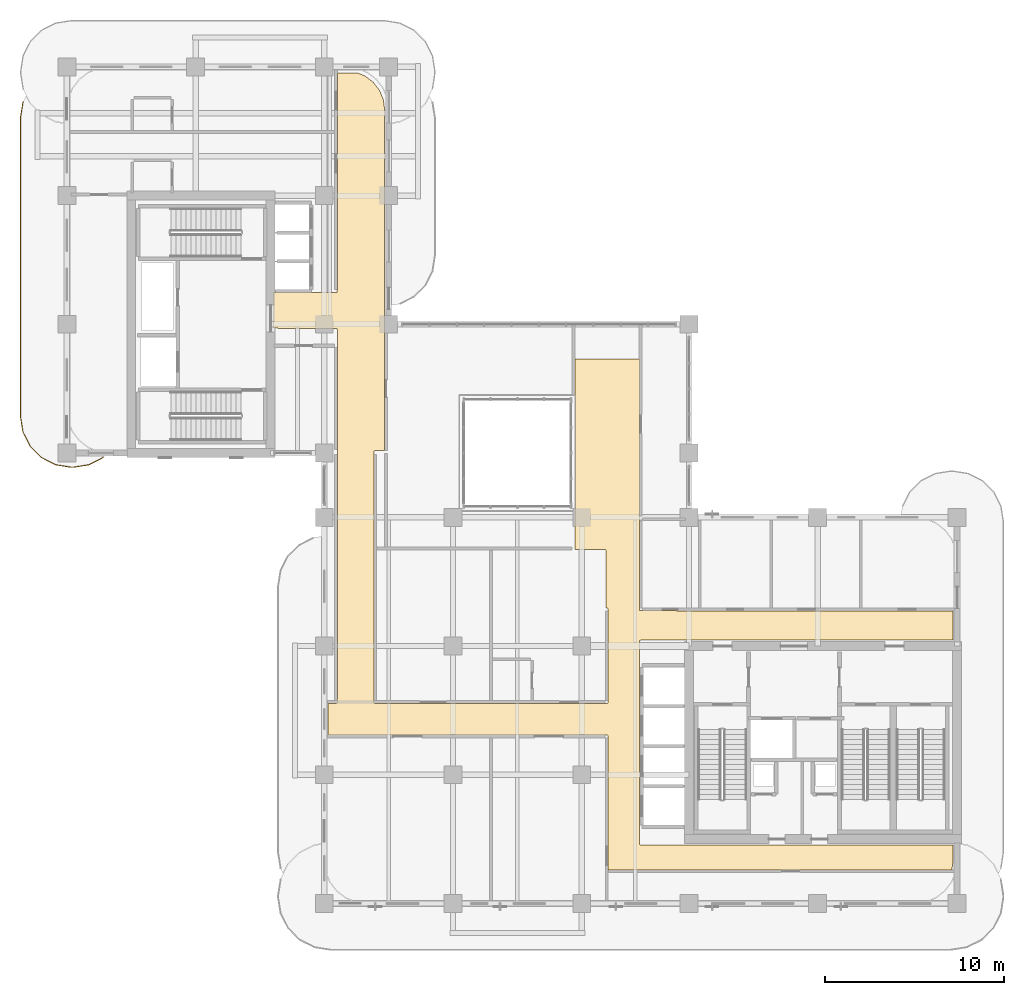
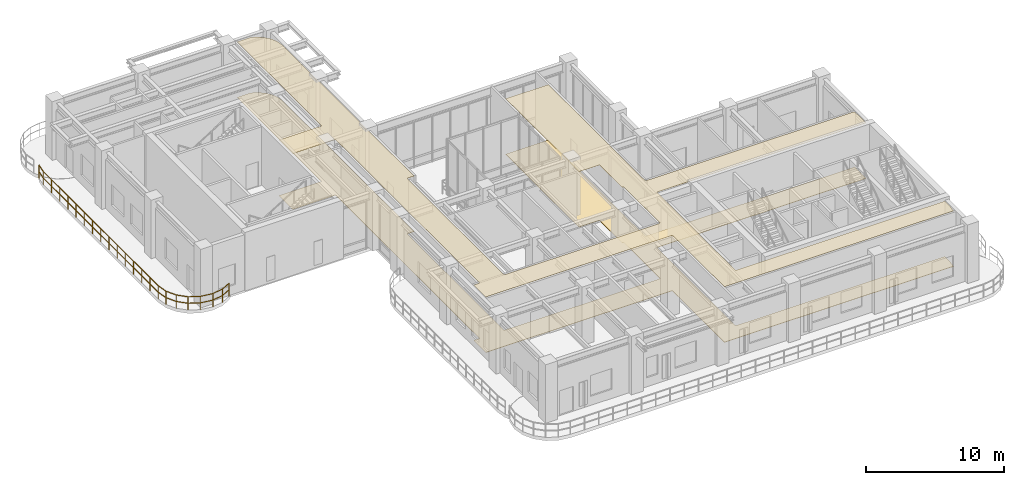
# One storey, part 20 of 21: 2 coverings, 1 railing.
"""IFC4 building model written with IfcOpenShell, lengths in metres."""

from ifc_helpers import new_model, si_unit, derived_unit, direction, frame, origin, origin_2d, place, context, subcontext, project, spatial, polyline, rectangle, outline, extrude, material, layer, layer_set, type_object, element, save


model = new_model("IFC4")

# Units and contexts
model_context = context("Model", 3, precision=1e-05, world=origin(), true_north=direction((0.0, 1.0)))
body_context = subcontext(model_context, "Body", "Model", "MODEL_VIEW")
ifc_project = project(units=[si_unit("LENGTHUNIT", "METRE"), si_unit("AREAUNIT", "SQUARE_METRE"), si_unit("VOLUMEUNIT", "CUBIC_METRE"), si_unit("PLANEANGLEUNIT", "RADIAN"), si_unit("MASSUNIT", "GRAM", prefix="KILO"), si_unit("THERMODYNAMICTEMPERATUREUNIT", "KELVIN"), si_unit("POWERUNIT", "WATT"), derived_unit("THERMALTRANSMITTANCEUNIT", [(si_unit("POWERUNIT", "WATT"), 1), (si_unit("AREAUNIT", "SQUARE_METRE"), -1), (si_unit("THERMODYNAMICTEMPERATUREUNIT", "KELVIN"), -1)])], contexts=[model_context])

# Site, building, storey
site_placement = place(None, origin())
site = spatial("IfcSite", under=ifc_project, at=site_placement, CompositionType="ELEMENT")
building_placement = place(site_placement, origin())
building = spatial("IfcBuilding", under=site, at=building_placement, Name="Zahravan Archway Hotel and Residences", CompositionType="ELEMENT")
storey_placement = place(building_placement, frame((0.0, 0.0, 145.10009765625)))
storey = spatial("IfcBuildingStorey", under=building, at=storey_placement, Name="L36", CompositionType="ELEMENT", Elevation=145.10009765625)

# Coverings
ifc_material_1 = material(Name="Perforated Acoustic Gypsum Ceiling")
ifc_layer_1 = layer(ifc_material_1, 0.02490234375, Name="Perforated Acoustic Gypsum Ceiling")
ifc_layer_set_1 = layer_set([ifc_layer_1], Name="Perforated Acoustic Gypsum Ceiling")
covering_type_1 = type_object("IfcCoveringType", Name="COV-CEIL-ACST", PredefinedType="CEILING", material=ifc_layer_set_1)
covering_1_placement = place(storey_placement, frame((0.0, 0.0, 4.9248046875)))
element("IfcCovering", 1, at=covering_1_placement, inside=storey, type_object=covering_type_1, Name="L36 Acoustic Corridor Ceiling", PredefinedType="CEILING", context=body_context, shape_type="SweptSolid", body=[
    extrude(outline(polyline([(32.09228515625, 14.7294921875), (32.04931640625, 14.7119140625), (32.0234375, 14.673095703125), (32.02001953125, 3.35009765625), (32.033447265625, 3.3056640625), (32.0693359375, 3.276123046875), (49.580078125, 3.27001953125), (49.580078125, 2.414306640625), (49.509521484375, 1.8798828125), (30.280029296875, 1.8798828125), (30.280029296875, 9.35009765625), (30.2666015625, 9.394287109375), (30.230712890625, 9.423828125), (14.6201171875, 9.429931640625), (14.6201171875, 11.18994140625), (15.050048828125, 11.18994140625), (15.094482421875, 11.20361328125), (15.123779296875, 11.239501953125), (15.1298828125, 32.10009765625), (15.116455078125, 32.144287109375), (15.08056640625, 32.173828125), (11.530029296875, 32.179931640625), (11.530029296875, 34.169921875), (15.050048828125, 34.169921875), (15.094482421875, 34.18359375), (15.123779296875, 34.219482421875), (15.1298828125, 46.469970703125), (16.24560546875, 46.469970703125), (16.689208984375, 46.286376953125), (17.14013671875, 45.940185546875), (17.486328125, 45.489013671875), (17.703857421875, 44.9638671875), (17.77001953125, 44.46142578125), (17.77001953125, 25.330078125), (17.25, 25.330078125), (17.20556640625, 25.31640625), (17.176025390625, 25.280517578125), (17.169921875, 11.27001953125), (17.18359375, 11.2255859375), (17.219482421875, 11.196044921875), (30.199951171875, 11.18994140625), (30.244384765625, 11.20361328125), (30.27392578125, 11.239501953125), (30.280029296875, 16.449951171875), (30.2666015625, 16.494384765625), (30.230712890625, 16.52392578125), (30.14990234375, 16.530029296875), (30.14990234375, 19.77001953125), (30.122802734375, 19.7998046875), (28.429931640625, 19.800048828125), (28.429931640625, 30.469970703125), (32.02001953125, 30.469970703125), (32.02001953125, 16.449951171875), (32.033447265625, 16.405517578125), (32.0693359375, 16.376220703125), (49.580078125, 16.3701171875), (49.580078125, 14.72998046875), (32.10009765625, 14.72998046875), (32.09228515625, 14.7294921875)])), origin(), (0.0, 0.0, 1.0), 0.025146484375),
])
ifc_material_2 = material(Name="Honed Margalla Limestone & Mortar Bed", Category="masonry")
ifc_layer_2 = layer(ifc_material_2, 0.030029296875, Name="Honed Margalla Limestone & Mortar Bed", Category="masonry")
ifc_layer_set_2 = layer_set([ifc_layer_2], Name="Honed Margalla Limestone & Mortar Bed")
covering_type_2 = type_object("IfcCoveringType", Name="COV-FLR-STONE", PredefinedType="FLOORING", material=ifc_layer_set_2)
covering_2_placement = place(storey_placement, origin())
element("IfcCovering", 2, at=covering_2_placement, inside=storey, type_object=covering_type_2, Name="L36 Circulation Floor Finish", PredefinedType="FLOORING", context=body_context, shape_type="SweptSolid", body=[
    extrude(outline(polyline([(32.09228515625, 14.7294921875), (32.04931640625, 14.7119140625), (32.0234375, 14.673095703125), (32.02001953125, 3.35009765625), (32.033447265625, 3.3056640625), (32.0693359375, 3.276123046875), (49.580078125, 3.27001953125), (49.580078125, 2.414306640625), (49.509521484375, 1.8798828125), (30.280029296875, 1.8798828125), (30.280029296875, 9.35009765625), (30.2666015625, 9.394287109375), (30.230712890625, 9.423828125), (14.6201171875, 9.429931640625), (14.6201171875, 11.18994140625), (15.050048828125, 11.18994140625), (15.094482421875, 11.20361328125), (15.123779296875, 11.239501953125), (15.1298828125, 32.10009765625), (15.116455078125, 32.144287109375), (15.08056640625, 32.173828125), (11.530029296875, 32.179931640625), (11.530029296875, 34.169921875), (15.050048828125, 34.169921875), (15.094482421875, 34.18359375), (15.123779296875, 34.219482421875), (15.1298828125, 46.469970703125), (16.24560546875, 46.469970703125), (16.689208984375, 46.286376953125), (17.14013671875, 45.940185546875), (17.486328125, 45.489013671875), (17.703857421875, 44.9638671875), (17.77001953125, 44.46142578125), (17.77001953125, 25.330078125), (17.25, 25.330078125), (17.20556640625, 25.31640625), (17.176025390625, 25.280517578125), (17.169921875, 11.27001953125), (17.18359375, 11.2255859375), (17.219482421875, 11.196044921875), (30.199951171875, 11.18994140625), (30.244384765625, 11.20361328125), (30.27392578125, 11.239501953125), (30.280029296875, 16.449951171875), (30.2666015625, 16.494384765625), (30.230712890625, 16.52392578125), (30.14990234375, 16.530029296875), (30.14990234375, 19.77001953125), (30.122802734375, 19.7998046875), (28.429931640625, 19.800048828125), (28.429931640625, 30.469970703125), (32.02001953125, 30.469970703125), (32.02001953125, 16.449951171875), (32.033447265625, 16.405517578125), (32.0693359375, 16.376220703125), (49.580078125, 16.3701171875), (49.580078125, 14.72998046875), (32.10009765625, 14.72998046875), (32.09228515625, 14.7294921875)])), origin(), (0.0, 0.0, 1.0), 0.02978515625),
])

# Railing
ifc_material_3 = material(Name="Bronze & Laminated Glass Balustrade", Category="glass")
railing_type = type_object("IfcRailingType", Name="RL-BAL-1200", PredefinedType="BALUSTRADE", material=ifc_material_3)
railing_placement = place(storey_placement, frame((2.025146484375, 24.9443359375, 0.0)))
element("IfcRailing", 3, at=railing_placement, inside=storey, type_object=railing_type, Name="L36 Balustrade RL-SLB-BAL-L36-WB-1", PredefinedType="BALUSTRADE", context=body_context, shape_type="SweptSolid", body=[
    extrude(rectangle(XDim=0.048095703125, YDim=0.048095703125, at=origin_2d()), frame((0.0, 0.0, 1.17578125), z_axis=(-0.891006060389, -0.453991409995, 0.0), x_axis=(0.453991409995, -0.891006060389, 0.0)), (0.0, 0.0, 1.0), 0.8916015625),
    extrude(rectangle(XDim=0.048095703125, YDim=0.048095703125, at=origin_2d()), frame((0.0, 0.0, 0.60009765625), z_axis=(-0.891006060389, -0.453991409995, 0.0), x_axis=(0.453991409995, -0.891006060389, 0.0)), (0.0, 0.0, 1.0), 0.8916015625),
    extrude(rectangle(XDim=0.048095703125, YDim=0.048095703125, at=origin_2d()), frame((-0.79443359375, -0.40478515625, 1.17578125), z_axis=(-0.987658397726, -0.156623399917, 0.0), x_axis=(0.156623399917, -0.987658397726, 0.0)), (0.0, 0.0, 1.0), 0.8916015625),
    extrude(rectangle(XDim=0.048095703125, YDim=0.048095703125, at=origin_2d()), frame((-0.79443359375, -0.40478515625, 0.60009765625), z_axis=(-0.987658397726, -0.156623399917, 0.0), x_axis=(0.156623399917, -0.987658397726, 0.0)), (0.0, 0.0, 1.0), 0.8916015625),
    extrude(rectangle(XDim=0.048095703125, YDim=0.048095703125, at=origin_2d()), frame((-1.675048828125, -0.54443359375, 1.17578125), z_axis=(-1.0, 0.0, 0.0), x_axis=(0.0, -1.0, 0.0)), (0.0, 0.0, 1.0), 0.10009765625),
    extrude(rectangle(XDim=0.048095703125, YDim=0.048095703125, at=origin_2d()), frame((-1.675048828125, -0.54443359375, 0.60009765625), z_axis=(-1.0, 0.0, 0.0), x_axis=(0.0, -1.0, 0.0)), (0.0, 0.0, 1.0), 0.10009765625),
    extrude(rectangle(XDim=0.048095703125, YDim=0.048095703125, at=origin_2d()), frame((-1.775146484375, -0.54443359375, 1.17578125), z_axis=(-0.987658397726, 0.156623399917, 0.0), x_axis=(-0.156623399917, -0.987658397726, 0.0)), (0.0, 0.0, 1.0), 0.8916015625),
    extrude(rectangle(XDim=0.048095703125, YDim=0.048095703125, at=origin_2d()), frame((-1.775146484375, -0.54443359375, 0.60009765625), z_axis=(-0.987658397726, 0.156623399917, 0.0), x_axis=(-0.156623399917, -0.987658397726, 0.0)), (0.0, 0.0, 1.0), 0.8916015625),
    extrude(rectangle(XDim=0.048095703125, YDim=0.048095703125, at=origin_2d()), frame((-2.65576171875, -0.40478515625, 1.17578125), z_axis=(-0.891062476022, 0.45388067135, 0.0), x_axis=(-0.45388067135, -0.891062476022, 0.0)), (0.0, 0.0, 1.0), 0.891845703125),
    extrude(rectangle(XDim=0.048095703125, YDim=0.048095703125, at=origin_2d()), frame((-2.65576171875, -0.40478515625, 0.60009765625), z_axis=(-0.891062476022, 0.45388067135, 0.0), x_axis=(-0.45388067135, -0.891062476022, 0.0)), (0.0, 0.0, 1.0), 0.891845703125),
    extrude(rectangle(XDim=0.048095703125, YDim=0.048095703125, at=origin_2d()), frame((-3.450439453125, 0.0, 1.17578125), z_axis=(-0.707106781187, 0.707106781187, 0.0), x_axis=(-0.707106781187, -0.707106781187, 0.0)), (0.0, 0.0, 1.0), 0.891357421875),
    extrude(rectangle(XDim=0.048095703125, YDim=0.048095703125, at=origin_2d()), frame((-3.450439453125, 0.0, 0.60009765625), z_axis=(-0.707106781187, 0.707106781187, 0.0), x_axis=(-0.707106781187, -0.707106781187, 0.0)), (0.0, 0.0, 1.0), 0.891357421875),
    extrude(rectangle(XDim=0.048095703125, YDim=0.048095703125, at=origin_2d()), frame((-4.080810546875, 0.63037109375, 1.17578125), z_axis=(-0.45388067135, 0.891062476022, 0.0), x_axis=(-0.891062476022, -0.45388067135, 0.0)), (0.0, 0.0, 1.0), 0.891845703125),
    extrude(rectangle(XDim=0.048095703125, YDim=0.048095703125, at=origin_2d()), frame((-4.080810546875, 0.63037109375, 0.60009765625), z_axis=(-0.45388067135, 0.891062476022, 0.0), x_axis=(-0.891062476022, -0.45388067135, 0.0)), (0.0, 0.0, 1.0), 0.891845703125),
    extrude(rectangle(XDim=0.048095703125, YDim=0.048095703125, at=origin_2d()), frame((-4.485595703125, 1.425048828125, 1.17578125), z_axis=(-0.156623399917, 0.987658397726, 0.0), x_axis=(-0.987658397726, -0.156623399917, 0.0)), (0.0, 0.0, 1.0), 0.8916015625),
    extrude(rectangle(XDim=0.048095703125, YDim=0.048095703125, at=origin_2d()), frame((-4.485595703125, 1.425048828125, 0.60009765625), z_axis=(-0.156623399917, 0.987658397726, 0.0), x_axis=(-0.987658397726, -0.156623399917, 0.0)), (0.0, 0.0, 1.0), 0.8916015625),
    extrude(rectangle(XDim=0.048095703125, YDim=0.048095703125, at=origin_2d()), frame((-4.625244140625, 2.3056640625, 1.17578125), z_axis=(0.0, 1.0, 0.0), x_axis=(-1.0, 0.0, 0.0)), (0.0, 0.0, 1.0), 16.699951171875),
    extrude(rectangle(XDim=0.048095703125, YDim=0.048095703125, at=origin_2d()), frame((-4.625244140625, 2.3056640625, 0.60009765625), z_axis=(0.0, 1.0, 0.0), x_axis=(-1.0, 0.0, 0.0)), (0.0, 0.0, 1.0), 16.699951171875),
    extrude(rectangle(XDim=0.048095703125, YDim=0.048095703125, at=origin_2d()), frame((-4.625244140625, 19.005615234375, 1.17578125), z_axis=(0.156581054338, 0.98766511198, 0.0), x_axis=(-0.98766511198, 0.156581054338, 0.0)), (0.0, 0.0, 1.0), 0.891845703125),
    extrude(rectangle(XDim=0.048095703125, YDim=0.048095703125, at=origin_2d()), frame((-4.625244140625, 19.005615234375, 0.60009765625), z_axis=(0.156581054338, 0.98766511198, 0.0), x_axis=(-0.98766511198, 0.156581054338, 0.0)), (0.0, 0.0, 1.0), 0.891845703125),
    extrude(rectangle(XDim=0.0419921875, YDim=0.0419921875, at=origin_2d()), origin(), (0.0, 0.0, 1.0), 1.15185546875),
    extrude(rectangle(XDim=0.0419921875, YDim=0.0419921875, at=origin_2d()), frame((-0.79443359375, -0.40478515625, 0.0)), (0.0, 0.0, 1.0), 1.15185546875),
    extrude(rectangle(XDim=0.0419921875, YDim=0.0419921875, at=origin_2d()), frame((-1.675048828125, -0.54443359375, 0.0)), (0.0, 0.0, 1.0), 1.15185546875),
    extrude(rectangle(XDim=0.0419921875, YDim=0.0419921875, at=origin_2d()), frame((-2.65576171875, -0.40478515625, 0.0)), (0.0, 0.0, 1.0), 1.15185546875),
    extrude(rectangle(XDim=0.0419921875, YDim=0.0419921875, at=origin_2d()), frame((-3.450439453125, 0.0, 0.0)), (0.0, 0.0, 1.0), 1.15185546875),
    extrude(rectangle(XDim=0.0419921875, YDim=0.0419921875, at=origin_2d()), frame((-4.080810546875, 0.63037109375, 0.0)), (0.0, 0.0, 1.0), 1.15185546875),
    extrude(rectangle(XDim=0.0419921875, YDim=0.0419921875, at=origin_2d()), frame((-4.485595703125, 1.425048828125, 0.0)), (0.0, 0.0, 1.0), 1.15185546875),
    extrude(rectangle(XDim=0.0419921875, YDim=0.0419921875, at=origin_2d()), frame((-4.625244140625, 2.3056640625, 0.0)), (0.0, 0.0, 1.0), 1.15185546875),
    extrude(rectangle(XDim=0.0419921875, YDim=0.0419921875, at=origin_2d()), frame((-4.625244140625, 3.49853515625, 0.0)), (0.0, 0.0, 1.0), 1.15185546875),
    extrude(rectangle(XDim=0.0419921875, YDim=0.0419921875, at=origin_2d()), frame((-4.625244140625, 4.69140625, 0.0)), (0.0, 0.0, 1.0), 1.15185546875),
    extrude(rectangle(XDim=0.0419921875, YDim=0.0419921875, at=origin_2d()), frame((-4.625244140625, 5.88427734375, 0.0)), (0.0, 0.0, 1.0), 1.15185546875),
    extrude(rectangle(XDim=0.0419921875, YDim=0.0419921875, at=origin_2d()), frame((-4.625244140625, 7.0771484375, 0.0)), (0.0, 0.0, 1.0), 1.15185546875),
    extrude(rectangle(XDim=0.0419921875, YDim=0.0419921875, at=origin_2d()), frame((-4.625244140625, 8.27001953125, 0.0)), (0.0, 0.0, 1.0), 1.15185546875),
    extrude(rectangle(XDim=0.0419921875, YDim=0.0419921875, at=origin_2d()), frame((-4.625244140625, 9.462890625, 0.0)), (0.0, 0.0, 1.0), 1.15185546875),
    extrude(rectangle(XDim=0.0419921875, YDim=0.0419921875, at=origin_2d()), frame((-4.625244140625, 10.65576171875, 0.0)), (0.0, 0.0, 1.0), 1.15185546875),
    extrude(rectangle(XDim=0.0419921875, YDim=0.0419921875, at=origin_2d()), frame((-4.625244140625, 11.848388671875, 0.0)), (0.0, 0.0, 1.0), 1.15185546875),
    extrude(rectangle(XDim=0.0419921875, YDim=0.0419921875, at=origin_2d()), frame((-4.625244140625, 13.041259765625, 0.0)), (0.0, 0.0, 1.0), 1.15185546875),
    extrude(rectangle(XDim=0.0419921875, YDim=0.0419921875, at=origin_2d()), frame((-4.625244140625, 14.234130859375, 0.0)), (0.0, 0.0, 1.0), 1.15185546875),
    extrude(rectangle(XDim=0.0419921875, YDim=0.0419921875, at=origin_2d()), frame((-4.625244140625, 15.427001953125, 0.0)), (0.0, 0.0, 1.0), 1.15185546875),
    extrude(rectangle(XDim=0.0419921875, YDim=0.0419921875, at=origin_2d()), frame((-4.625244140625, 16.619873046875, 0.0)), (0.0, 0.0, 1.0), 1.15185546875),
    extrude(rectangle(XDim=0.0419921875, YDim=0.0419921875, at=origin_2d()), frame((-4.625244140625, 17.812744140625, 0.0)), (0.0, 0.0, 1.0), 1.15185546875),
    extrude(rectangle(XDim=0.0419921875, YDim=0.0419921875, at=origin_2d()), frame((-4.625244140625, 19.005615234375, 0.0)), (0.0, 0.0, 1.0), 1.15185546875),
    extrude(rectangle(XDim=0.0419921875, YDim=0.0419921875, at=origin_2d()), frame((-4.485595703125, 19.886474609375, 0.0)), (0.0, 0.0, 1.0), 1.15185546875),
])

save(model, "model.ifc")
